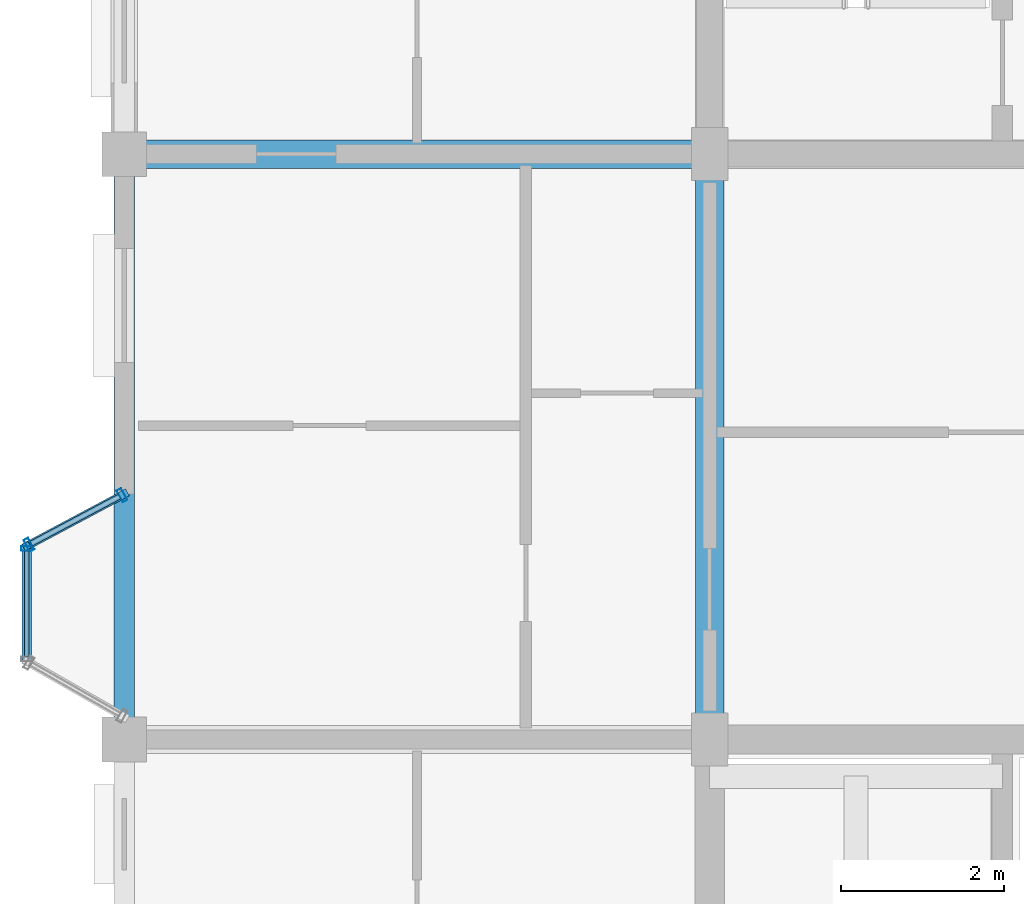
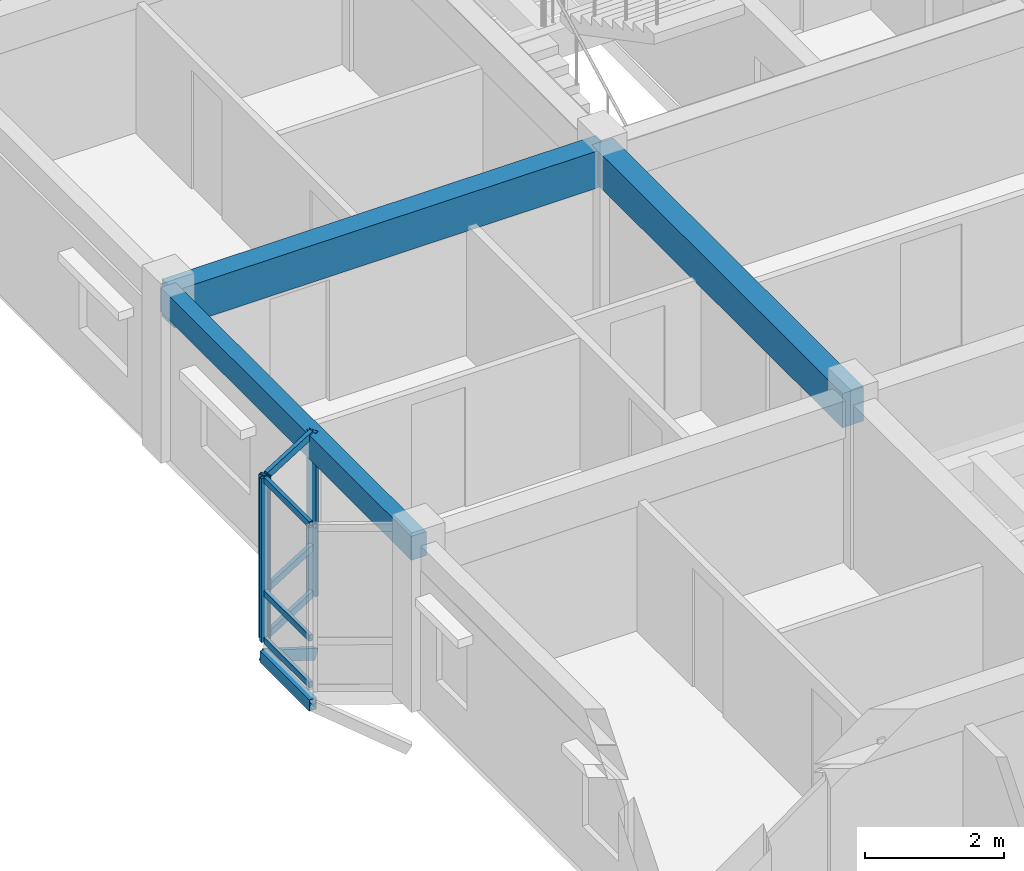
# One storey, part 9 of 79: 11 members, 3 beams, 2 elements without a shape of their own.
"""IFC4 building model written with IfcOpenShell, lengths in metres."""

from ifc_helpers import new_model, si_unit, direction, frame, origin, origin_2d, place, context, subcontext, project, spatial, rectangle, hollow_rectangle, extrude, material, layer, layer_set, material_profile, profile_set, type_object, element, aggregate, save


model = new_model("IFC4")

# Units and contexts
model_context = context("Model", 3, precision=1e-05, world=origin(), true_north=direction((0.0, 1.0)))
body_context = subcontext(model_context, "Body", "Model", "MODEL_VIEW")
ifc_project = project(units=[si_unit("LENGTHUNIT", "METRE"), si_unit("AREAUNIT", "SQUARE_METRE"), si_unit("VOLUMEUNIT", "CUBIC_METRE"), si_unit("PLANEANGLEUNIT", "RADIAN"), si_unit("MASSUNIT", "GRAM", prefix="KILO"), si_unit("THERMODYNAMICTEMPERATUREUNIT", "KELVIN"), si_unit("POWERUNIT", "WATT")], contexts=[model_context])

# Site, building, storey
site_placement = place(None, origin())
site = spatial("IfcSite", under=ifc_project, at=site_placement, CompositionType="ELEMENT")
building_placement = place(site_placement, origin())
building = spatial("IfcBuilding", under=site, at=building_placement, Name="Tavuni Mirador Residences", CompositionType="ELEMENT")
storey_placement = place(building_placement, frame((0.0, 0.0, 13.949951171875)))
storey = spatial("IfcBuildingStorey", under=building, at=storey_placement, Name="L04", CompositionType="ELEMENT", Elevation=13.949951171875)

# Beams
ifc_material_1 = material(Name="Precast concrete C40/50", Category="concrete")
ifc_material_profile_1 = material_profile(ifc_material_1, rectangle(XDim=0.35009765625, YDim=0.60009765625, at=origin_2d()), Name="PC 350x600", Category="concrete")
ifc_profile_set_1 = profile_set([ifc_material_profile_1], Name="Precast concrete C40/50")
beam_type_1 = type_object("IfcBeamType", Name="BT-B600", PredefinedType="BEAM", material=ifc_profile_set_1)
beam_1_placement = place(storey_placement, frame((10.800048828125, 21.60009765625, 2.570068359375), z_axis=(0.0, 1.0, 0.0), x_axis=(-1.0, 0.0, 0.0)))
element("IfcBeam", 1, at=beam_1_placement, inside=storey, type_object=beam_type_1, Name="BMY-BLK-A-L04-01-02", PredefinedType="BEAM", context=body_context, shape_type="SweptSolid", body=[
    extrude(rectangle(XDim=0.35009765625, YDim=0.60009765625, at=origin_2d()), origin(), (0.0, 0.0, 1.0), 7.199951171875),
])
ifc_material_profile_2 = material_profile(ifc_material_1, rectangle(XDim=0.35009765625, YDim=0.64990234375, at=origin_2d()), Name="PC 350x650", Category="concrete")
ifc_profile_set_2 = profile_set([ifc_material_profile_2], Name="Precast concrete C40/50")
beam_type_2 = type_object("IfcBeamType", Name="BT-B650", PredefinedType="BEAM", material=ifc_profile_set_2)
beam_2_placement = place(storey_placement, frame((3.60009765625, 28.800048828125, 2.545166015625), z_axis=(1.0, 0.0, 0.0), x_axis=(0.0, 1.0, 0.0)))
element("IfcBeam", 2, at=beam_2_placement, inside=storey, type_object=beam_type_2, Name="BMX-BLK-A-L04-00-03", PredefinedType="BEAM", context=body_context, shape_type="SweptSolid", body=[
    extrude(rectangle(XDim=0.35009765625, YDim=0.64990234375, at=origin_2d()), origin(), (0.0, 0.0, 1.0), 7.199951171875),
])
ifc_material_profile_3 = material_profile(ifc_material_1, rectangle(XDim=0.25, YDim=0.419921875, at=origin_2d()), Name="PC 250x420", Category="concrete")
ifc_profile_set_3 = profile_set([ifc_material_profile_3], Name="Precast concrete C40/50")
beam_type_3 = type_object("IfcBeamType", Name="BT-SP420", PredefinedType="SPANDREL", material=ifc_profile_set_3)
beam_3_placement = place(storey_placement, frame((3.60009765625, 21.60009765625, 2.66015625), z_axis=(0.0, 1.0, 0.0), x_axis=(-1.0, 0.0, 0.0)))
element("IfcBeam", 3, at=beam_3_placement, inside=storey, type_object=beam_type_3, Name="BMY-BLK-A-L04-00-02", PredefinedType="SPANDREL", context=body_context, shape_type="SweptSolid", body=[
    extrude(rectangle(XDim=0.25, YDim=0.419921875, at=origin_2d()), origin(), (0.0, 0.0, 1.0), 7.199951171875),
])

# Curtain wall, member
ifc_material_2 = material(Name="Anodised aluminium", Category="aluminium")
ifc_layer_1 = layer(ifc_material_2, 0.1650390625, Name="Anodised aluminium", Category="aluminium")
ifc_layer_set_1 = layer_set([ifc_layer_1], Name="Anodised aluminium")
curtain_wall_type_1 = type_object("IfcCurtainWallType", Name="CWT-MIR-A", PredefinedType="NOTDEFINED", material=ifc_layer_set_1)
curtain_wall_1_placement = place(storey_placement, origin())
curtain_wall_1 = element("IfcCurtainWall", 4, at=curtain_wall_1_placement, inside=storey, type_object=curtain_wall_type_1, Name="CW-MIR-A-W2-L04-MF", PredefinedType="NOTDEFINED")
ifc_material_profile_4 = material_profile(ifc_material_2, hollow_rectangle(XDim=0.06005859375, YDim=0.139892578125, WallThickness=0.00390625, at=origin_2d()), Name="ALU 60x140x4.0", Category="aluminium")
ifc_profile_set_4 = profile_set([ifc_material_profile_4], Name="Anodised aluminium")
member_type_1 = type_object("IfcMemberType", Name="CWM-140", PredefinedType="MULLION", material=ifc_profile_set_4)
member_1_placement = place(storey_placement, frame((2.39990234375, 23.949951171875, 0.0), z_axis=(0.0, 0.0, 1.0), x_axis=(0.0, -1.0, 0.0)))
member_1 = element("IfcMember", 5, at=member_1_placement, type_object=member_type_1, Name="CW-01 mullion 1", PredefinedType="MULLION", context=body_context, shape_type="SweptSolid", body=[
    extrude(hollow_rectangle(XDim=0.06005859375, YDim=0.139892578125, WallThickness=0.00390625, at=origin_2d()), origin(), (0.0, 0.0, 1.0), 2.8701171875),
])

# Curtain wall, members
ifc_layer_2 = layer(ifc_material_2, 0.159912109375, Name="Anodised aluminium", Category="aluminium")
ifc_layer_set_2 = layer_set([ifc_layer_2], Name="Anodised aluminium")
curtain_wall_type_2 = type_object("IfcCurtainWallType", Name="CWT-MIR-D", PredefinedType="NOTDEFINED", material=ifc_layer_set_2)
curtain_wall_2_placement = place(storey_placement, origin())
curtain_wall_2 = element("IfcCurtainWall", 6, at=curtain_wall_2_placement, inside=storey, type_object=curtain_wall_type_2, Name="CW-MIR-A-W2-L04-M1", PredefinedType="NOTDEFINED")
ifc_material_profile_5 = material_profile(ifc_material_2, hollow_rectangle(XDim=0.06494140625, YDim=0.1650390625, WallThickness=0.00439453125, at=origin_2d()), Name="ALU 65x165x4.5", Category="aluminium")
ifc_profile_set_5 = profile_set([ifc_material_profile_5], Name="Anodised aluminium")
member_type_2 = type_object("IfcMemberType", Name="CWM-165", PredefinedType="MULLION", material=ifc_profile_set_5)
member_2_placement = place(storey_placement, frame((3.5712890625, 24.604736328125, 0.0), z_axis=(0.0, 0.0, 1.0), x_axis=(-0.882352941175, -0.470588235296, 0.0)))
member_2 = element("IfcMember", 7, at=member_2_placement, type_object=member_type_2, Name="CW-04 mullion 1", PredefinedType="MULLION", context=body_context, shape_type="SweptSolid", body=[
    extrude(hollow_rectangle(XDim=0.06494140625, YDim=0.1650390625, WallThickness=0.00439453125, at=origin_2d()), origin(), (0.0, 0.0, 1.0), 2.8701171875),
])
member_3_placement = place(storey_placement, frame((2.4287109375, 23.995361328125, 0.0), z_axis=(0.0, 0.0, 1.0), x_axis=(-0.882352941175, -0.470588235296, 0.0)))
member_3 = element("IfcMember", 8, at=member_3_placement, type_object=member_type_2, Name="CW-04 mullion 2", PredefinedType="MULLION", context=body_context, shape_type="SweptSolid", body=[
    extrude(hollow_rectangle(XDim=0.06494140625, YDim=0.1650390625, WallThickness=0.00439453125, at=origin_2d()), origin(), (0.0, 0.0, 1.0), 2.8701171875),
])

# Member
ifc_material_profile_6 = material_profile(ifc_material_2, hollow_rectangle(XDim=0.06005859375, YDim=0.110107421875, WallThickness=0.00390625, at=origin_2d()), Name="ALU 60x110x4.0", Category="aluminium")
ifc_profile_set_6 = profile_set([ifc_material_profile_6], Name="Anodised aluminium")
member_type_3 = type_object("IfcMemberType", Name="CWT-110", PredefinedType="USERDEFINED", material=ifc_profile_set_6)
member_4_placement = place(storey_placement, frame((2.39990234375, 23.919921875, 0.030029296875), z_axis=(0.0, -1.0, 0.0), x_axis=(1.0, 0.0, 0.0)))
member_4 = element("IfcMember", 9, at=member_4_placement, type_object=member_type_3, Name="CW-01 transom 1.1", ObjectType="TRANSOM", PredefinedType="USERDEFINED", context=body_context, shape_type="SweptSolid", body=[
    extrude(hollow_rectangle(XDim=0.06005859375, YDim=0.110107421875, WallThickness=0.00390625, at=origin_2d()), origin(), (0.0, 0.0, 1.0), 1.2998046875),
])

member_5_placement = place(storey_placement, frame((2.39990234375, 23.919921875, 0.85009765625), z_axis=(0.0, -1.0, 0.0), x_axis=(1.0, 0.0, 0.0)))
member_5 = element("IfcMember", 10, at=member_5_placement, type_object=member_type_3, Name="CW-01 transom 1.2", ObjectType="TRANSOM", PredefinedType="USERDEFINED", context=body_context, shape_type="SweptSolid", body=[
    extrude(hollow_rectangle(XDim=0.06005859375, YDim=0.110107421875, WallThickness=0.00390625, at=origin_2d()), origin(), (0.0, 0.0, 1.0), 1.2998046875),
])

member_6_placement = place(storey_placement, frame((2.39990234375, 23.919921875, 2.840087890625), z_axis=(0.0, -1.0, 0.0), x_axis=(1.0, 0.0, 0.0)))
member_6 = element("IfcMember", 11, at=member_6_placement, type_object=member_type_3, Name="CW-01 transom 1.3", ObjectType="TRANSOM", PredefinedType="USERDEFINED", context=body_context, shape_type="SweptSolid", body=[
    extrude(hollow_rectangle(XDim=0.06005859375, YDim=0.110107421875, WallThickness=0.00390625, at=origin_2d()), origin(), (0.0, 0.0, 1.0), 1.2998046875),
])

aggregate(curtain_wall_1, [member_1, member_4, member_5, member_6])

ifc_material_profile_7 = material_profile(ifc_material_2, hollow_rectangle(XDim=0.06494140625, YDim=0.125, WallThickness=0.00439453125, at=origin_2d()), Name="ALU 65x125x4.5", Category="aluminium")
ifc_profile_set_7 = profile_set([ifc_material_profile_7], Name="Anodised aluminium")
member_type_4 = type_object("IfcMemberType", Name="CWT-125", PredefinedType="USERDEFINED", material=ifc_profile_set_7)
member_7_placement = place(storey_placement, frame((3.542724609375, 24.58935546875, 0.032470703125), z_axis=(-0.882369422046, -0.47055733236, 0.0), x_axis=(0.47055733236, -0.882369422046, 0.0)))
member_7 = element("IfcMember", 12, at=member_7_placement, type_object=member_type_4, Name="CW-04 transom 1.1", ObjectType="TRANSOM", PredefinedType="USERDEFINED", context=body_context, shape_type="SweptSolid", body=[
    extrude(hollow_rectangle(XDim=0.06494140625, YDim=0.125, WallThickness=0.00439453125, at=origin_2d()), origin(), (0.0, 0.0, 1.0), 1.230224609375),
])

member_8_placement = place(storey_placement, frame((3.542724609375, 24.58935546875, 0.85009765625), z_axis=(-0.882369422046, -0.47055733236, 0.0), x_axis=(0.47055733236, -0.882369422046, 0.0)))
member_8 = element("IfcMember", 13, at=member_8_placement, type_object=member_type_4, Name="CW-04 transom 1.2", ObjectType="TRANSOM", PredefinedType="USERDEFINED", context=body_context, shape_type="SweptSolid", body=[
    extrude(hollow_rectangle(XDim=0.06494140625, YDim=0.125, WallThickness=0.00439453125, at=origin_2d()), origin(), (0.0, 0.0, 1.0), 1.230224609375),
])

member_9_placement = place(storey_placement, frame((3.542724609375, 24.58935546875, 2.837646484375), z_axis=(-0.882369422046, -0.47055733236, 0.0), x_axis=(0.47055733236, -0.882369422046, 0.0)))
member_9 = element("IfcMember", 14, at=member_9_placement, type_object=member_type_4, Name="CW-04 transom 1.3", ObjectType="TRANSOM", PredefinedType="USERDEFINED", context=body_context, shape_type="SweptSolid", body=[
    extrude(hollow_rectangle(XDim=0.06494140625, YDim=0.125, WallThickness=0.00439453125, at=origin_2d()), origin(), (0.0, 0.0, 1.0), 1.230224609375),
])

aggregate(curtain_wall_2, [member_2, member_3, member_7, member_8, member_9])

# Members
ifc_material_3 = material(Name="Structural steel S355", Category="steel")
ifc_material_profile_8 = material_profile(ifc_material_3, hollow_rectangle(XDim=0.10009765625, YDim=0.179931640625, WallThickness=0.008056640625, at=origin_2d()), Name="RHS 180x100x8.0", Category="steel")
ifc_profile_set_8 = profile_set([ifc_material_profile_8], Name="Structural steel S355")
member_type_5 = type_object("IfcMemberType", Name="MT-BR-RHS180", PredefinedType="BRACE", material=ifc_profile_set_8)
member_10_placement = place(storey_placement, frame((3.60009765625, 24.6201171875, -1.050048828125), z_axis=(-0.767847080655, -0.409539268811, 0.492634192918), x_axis=(0.470606866739, -0.882343004153, 0.0)))
element("IfcMember", 15, at=member_10_placement, inside=storey, type_object=member_type_5, Name="MBRK-MIR-A-W2-L04-2", PredefinedType="BRACE", context=body_context, shape_type="SweptSolid", body=[
    extrude(hollow_rectangle(XDim=0.10009765625, YDim=0.179931640625, WallThickness=0.008056640625, at=origin_2d()), origin(), (0.0, 0.0, 1.0), 1.56298828125),
])
ifc_material_profile_9 = material_profile(ifc_material_3, hollow_rectangle(XDim=0.1201171875, YDim=0.199951171875, WallThickness=0.010009765625, at=origin_2d()), Name="RHS 200x120x10.0", Category="steel")
ifc_profile_set_9 = profile_set([ifc_material_profile_9], Name="Structural steel S355")
member_type_6 = type_object("IfcMemberType", Name="MT-ST-RHS200", PredefinedType="STRUT", material=ifc_profile_set_9)
member_11_placement = place(storey_placement, frame((2.39990234375, 22.56005859375, -0.280029296875), z_axis=(0.0, 1.0, 0.0), x_axis=(-1.0, 0.0, 0.0)))
element("IfcMember", 16, at=member_11_placement, inside=storey, type_object=member_type_6, Name="MRIM-MIR-A-W2-L04", PredefinedType="STRUT", context=body_context, shape_type="SweptSolid", body=[
    extrude(hollow_rectangle(XDim=0.1201171875, YDim=0.199951171875, WallThickness=0.010009765625, at=origin_2d()), origin(), (0.0, 0.0, 1.0), 1.419921875),
])

save(model, "model.ifc")
